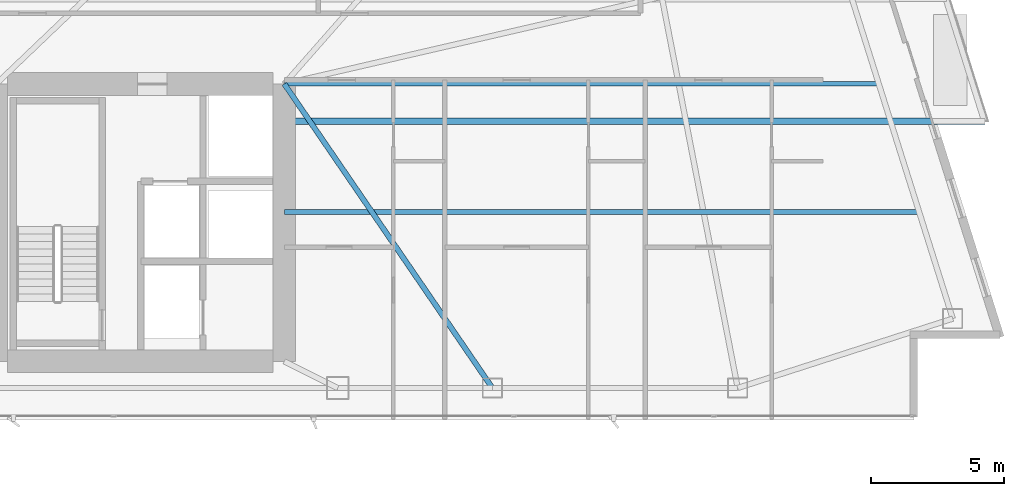
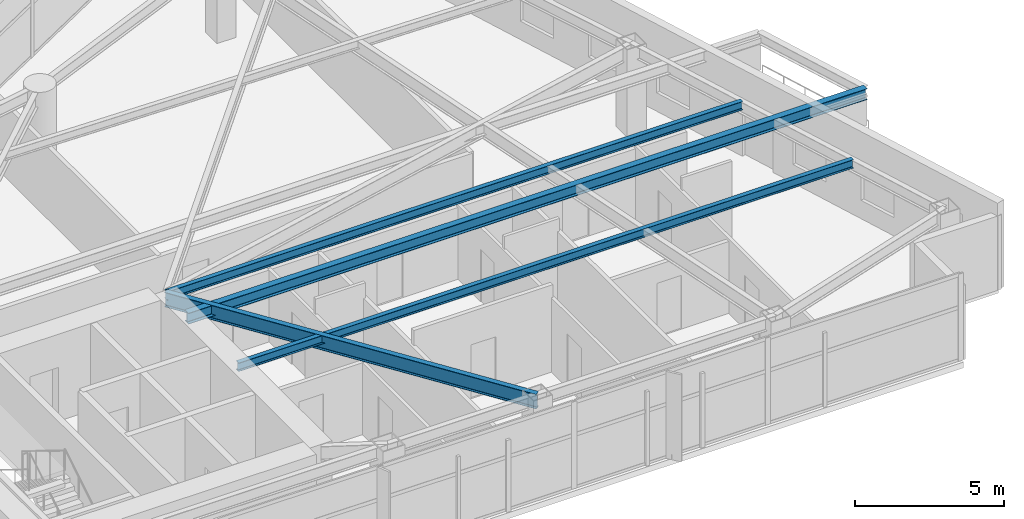
# One storey, part 13 of 28: 4 beams.
"""IFC4 building model written with IfcOpenShell, lengths in metres."""

from ifc_helpers import new_model, si_unit, direction, frame, origin, origin_2d, place, context, subcontext, project, spatial, i_section, extrude, material, material_profile, profile_set, type_object, element, save


model = new_model("IFC4")

# Units and contexts
model_context = context("Model", 3, precision=1e-05, world=origin(), true_north=direction((0.0, 1.0)))
body_context = subcontext(model_context, "Body", "Model", "MODEL_VIEW")
ifc_project = project(units=[si_unit("LENGTHUNIT", "METRE"), si_unit("AREAUNIT", "SQUARE_METRE"), si_unit("VOLUMEUNIT", "CUBIC_METRE"), si_unit("PLANEANGLEUNIT", "RADIAN"), si_unit("MASSUNIT", "GRAM", prefix="KILO")], contexts=[model_context])

# Site, building, storey
site_placement = place(None, origin())
site = spatial("IfcSite", under=ifc_project, at=site_placement, CompositionType="ELEMENT")
building_placement = place(site_placement, origin())
building = spatial("IfcBuilding", under=site, at=building_placement, Name="Calvorn Quay Hotel", CompositionType="ELEMENT")
storey_placement = place(building_placement, frame((0.0, 0.0, 152.300048828125)))
storey = spatial("IfcBuildingStorey", under=building, at=storey_placement, Name="L37", CompositionType="ELEMENT", Elevation=152.300048828125)

# Beams
ifc_material_1 = material(Name="Steel Q355B", Category="steel")
ifc_material_profile_1 = material_profile(ifc_material_1, i_section(OverallWidth=0.25, OverallDepth=0.449951171875, WebThickness=0.011962890625, FlangeThickness=0.01611328125, FilletRadius=0.01611328125, at=origin_2d()), Name="HN450x250x12x16")
ifc_profile_set_1 = profile_set([ifc_material_profile_1], Name="Steel Q355B")
beam_type_1 = type_object("IfcBeamType", Name="BM-CANT-BALC", PredefinedType="BEAM", material=ifc_profile_set_1)
beam_1_placement = place(storey_placement, frame((32.39990234375, 13.60009765625, 3.31494140625), z_axis=(1.0, 0.0, 0.0), x_axis=(0.0, 1.0, 0.0)))
element("IfcBeam", 1, at=beam_1_placement, inside=storey, type_object=beam_type_1, Name="Cantilever Balcony Beam BCB-L38-1A", PredefinedType="BEAM", context=body_context, shape_type="SweptSolid", body=[
    extrude(i_section(OverallWidth=0.25, OverallDepth=0.449951171875, WebThickness=0.011962890625, FlangeThickness=0.01611328125, FilletRadius=0.01611328125, at=origin_2d()), origin(), (0.0, 0.0, 1.0), 26.26904296875),
])
ifc_material_2 = material(Name="Steel Q355B", Category="steel")
ifc_material_profile_2 = material_profile(ifc_material_2, i_section(OverallWidth=0.199951171875, OverallDepth=0.60009765625, WebThickness=0.010986328125, FlangeThickness=0.01708984375, FilletRadius=0.01806640625, at=origin_2d()), Name="HN600x200x11x17")
ifc_profile_set_2 = profile_set([ifc_material_profile_2], Name="Steel Q355B")
beam_type_2 = type_object("IfcBeamType", Name="BM-GIRD-TYP", PredefinedType="BEAM", material=ifc_profile_set_2)
beam_2_placement = place(storey_placement, frame((40.199951171875, 3.60009765625, 3.239990234375), z_axis=(-0.564689618177, 0.825303359452, 0.0), x_axis=(-0.825303359452, -0.564689618177, 0.0)))
element("IfcBeam", 2, at=beam_2_placement, inside=storey, type_object=beam_type_2, Name="Beam BG-L37-E6", PredefinedType="BEAM", context=body_context, shape_type="SweptSolid", body=[
    extrude(i_section(OverallWidth=0.199951171875, OverallDepth=0.60009765625, WebThickness=0.010986328125, FlangeThickness=0.01708984375, FilletRadius=0.01806640625, at=origin_2d()), origin(), (0.0, 0.0, 1.0), 13.81298828125),
])
ifc_material_3 = material(Name="Steel Q355B", Category="steel")
ifc_material_profile_3 = material_profile(ifc_material_3, i_section(OverallWidth=0.175048828125, OverallDepth=0.35009765625, WebThickness=0.007080078125, FlangeThickness=0.010986328125, FilletRadius=0.013916015625, at=origin_2d()), Name="HN350x175x7x11")
ifc_profile_set_3 = profile_set([ifc_material_profile_3], Name="Steel Q355B")
beam_type_3 = type_object("IfcBeamType", Name="BM-JOIST-SEC", PredefinedType="JOIST", material=ifc_profile_set_3)
beam_3_placement = place(storey_placement, frame((32.39990234375, 10.199951171875, 3.364990234375), z_axis=(1.0, 0.0, 0.0), x_axis=(0.0, 1.0, 0.0)))
element("IfcBeam", 3, at=beam_3_placement, inside=storey, type_object=beam_type_3, Name="Beam BJ-L37-E1", PredefinedType="JOIST", context=body_context, shape_type="SweptSolid", body=[
    extrude(i_section(OverallWidth=0.175048828125, OverallDepth=0.35009765625, WebThickness=0.007080078125, FlangeThickness=0.010986328125, FilletRadius=0.013916015625, at=origin_2d()), origin(), (0.0, 0.0, 1.0), 23.801025390625),
])
beam_4_placement = place(storey_placement, frame((32.39990234375, 15.0, 3.364990234375), z_axis=(1.0, 0.0, 0.0), x_axis=(0.0, 1.0, 0.0)))
element("IfcBeam", 4, at=beam_4_placement, inside=storey, type_object=beam_type_3, Name="Beam BJ-L37-E2", PredefinedType="JOIST", context=body_context, shape_type="SweptSolid", body=[
    extrude(i_section(OverallWidth=0.175048828125, OverallDepth=0.35009765625, WebThickness=0.007080078125, FlangeThickness=0.010986328125, FilletRadius=0.013916015625, at=origin_2d()), origin(), (0.0, 0.0, 1.0), 22.2880859375),
])

save(model, "model.ifc")
